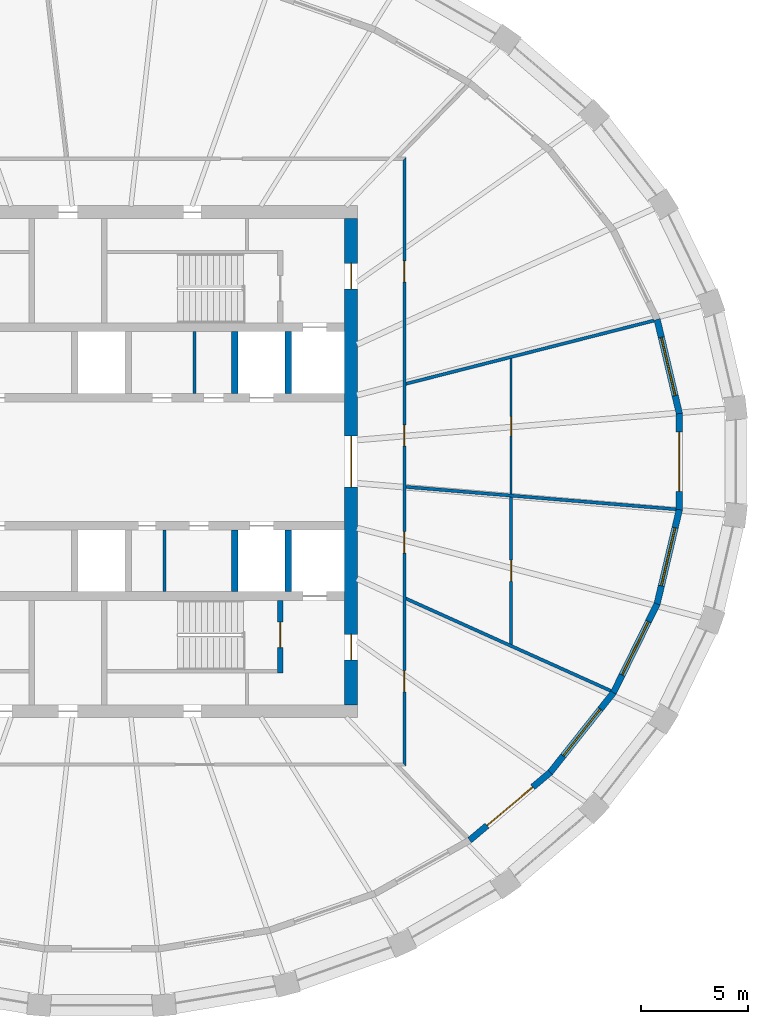
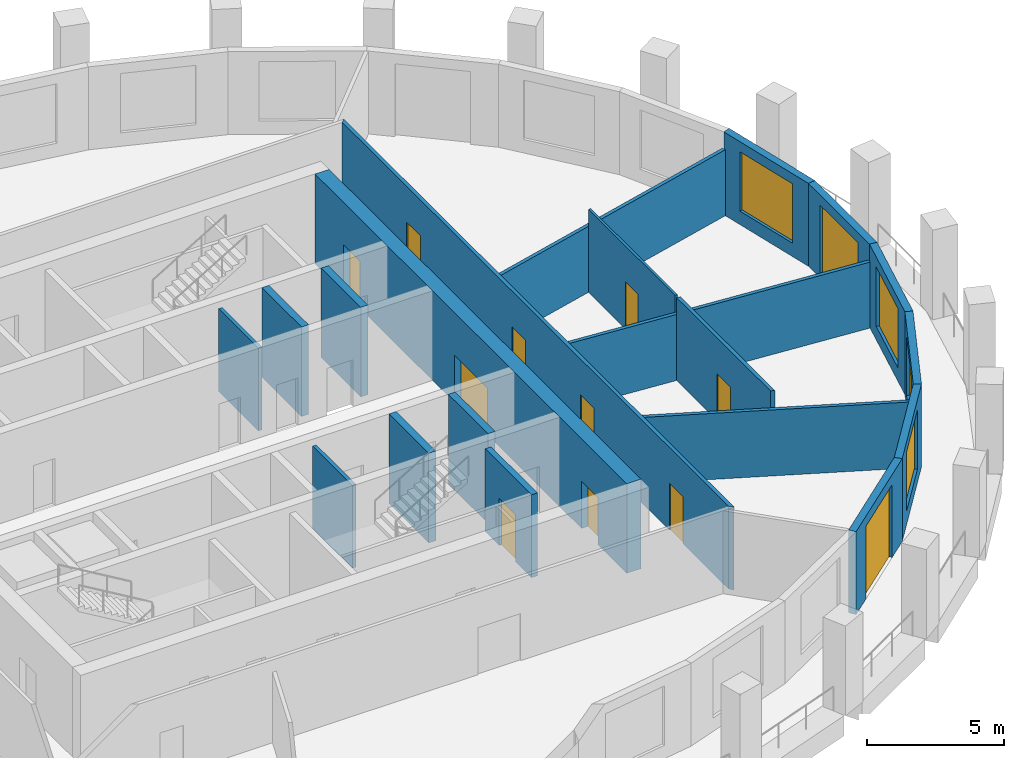
# One storey, part 5 of 10: 20 walls, 12 doors, 4 windows, 16 openings.
"""IFC4 building model written with IfcOpenShell, lengths in metres."""

import ifcopenshell
import ifcopenshell.guid

model = None  # the IFC model being written
_history = None  # IfcOwnerHistory: only IFC2X3 demands one
_inside = {}  # id of a spatial element -> (the spatial element, [elements in it])
_under = {}  # id of a project, library or spatial element -> (it, [spatial elements below it])
_declared = {}  # id of a project -> (the project, [libraries it declares])
_typed = {}  # id of a type object -> (the type object, [elements of that type])
_made_of = {}  # id of a material, layer set ... -> (it, [elements and type objects made of it])


def new_model(schema):
    """Start an empty IFC model of exactly this schema.

    Asked for "IFC4X3", IfcOpenShell would pick the latest addendum, in which some entities
    have other attributes; the version numbers below select the first issue.
    IFC2X3 requires an IfcOwnerHistory on every rooted entity: one is made here for all.
    """
    global model, _history
    if schema == "IFC4X3":
        model = ifcopenshell.file(schema_version=(4, 3, 0, 0))
    else:
        model = ifcopenshell.file(schema=schema)
    _inside.clear()
    _under.clear()
    _declared.clear()
    _typed.clear()
    _made_of.clear()
    _history = None
    if model.schema == "IFC2X3":
        org = make("IfcOrganization", Name="unknown")
        user = make(
            "IfcPersonAndOrganization",
            ThePerson=make("IfcPerson", FamilyName="unknown"),
            TheOrganization=org,
        )
        app = make(
            "IfcApplication",
            ApplicationDeveloper=org,
            Version="unknown",
            ApplicationFullName="unknown",
            ApplicationIdentifier="unknown",
        )
        _history = make(
            "IfcOwnerHistory",
            OwningUser=user,
            OwningApplication=app,
            ChangeAction="ADDED",
            CreationDate=0,
        )
    return model


def make(cls, **values):
    """One entity of the class cls with the attributes given. An attribute that is None is left unset."""
    return model.create_entity(
        cls, **{name: value for name, value in values.items() if value is not None}
    )


def rooted(cls, **values):
    """An entity with a GlobalId (a new one), such as an element, a storey or a relation."""
    return make(cls, GlobalId=ifcopenshell.guid.new(), OwnerHistory=_history, **values)


def si_unit(unit_type, name, prefix=None):
    """IfcSIUnit, for example si_unit("LENGTHUNIT", "METRE", prefix="MILLI")."""
    return make("IfcSIUnit", UnitType=unit_type, Prefix=prefix, Name=name)


def assignment(units):
    """IfcUnitAssignment: the units of a project."""
    return None if units is None else make("IfcUnitAssignment", Units=units)


def point(xyz):
    """IfcCartesianPoint."""
    return None if xyz is None else make("IfcCartesianPoint", Coordinates=xyz)


def direction(xyz):
    """IfcDirection."""
    return None if xyz is None else make("IfcDirection", DirectionRatios=xyz)


def frame(location, z_axis=None, x_axis=None):
    """IfcAxis2Placement3D, a coordinate frame: its origin and axes. An axis left out is left unset."""
    return make(
        "IfcAxis2Placement3D",
        Location=point(location),
        Axis=direction(z_axis),
        RefDirection=direction(x_axis),
    )


def frame_2d(location, x_axis=None):
    """IfcAxis2Placement2D, a coordinate frame in the plane: its origin and x axis."""
    return make(
        "IfcAxis2Placement2D", Location=point(location), RefDirection=direction(x_axis)
    )


def origin():
    """The frame at (0, 0, 0) with its axes left unset."""
    return frame((0.0, 0.0, 0.0))


def place(relative_to, where):
    """IfcLocalPlacement: puts the frame where relative to a parent placement (None: the world)."""
    return make(
        "IfcLocalPlacement", PlacementRelTo=relative_to, RelativePlacement=where
    )


def context(
    kind, dimensions, precision=None, world=None, true_north=None, identifier=None
):
    """IfcGeometricRepresentationContext, for example the 3D "Model" context."""
    return make(
        "IfcGeometricRepresentationContext",
        ContextIdentifier=identifier,
        ContextType=kind,
        CoordinateSpaceDimension=dimensions,
        Precision=precision,
        WorldCoordinateSystem=world,
        TrueNorth=true_north,
    )


def subcontext(parent, identifier, kind, view, scale=None):
    """IfcGeometricRepresentationSubContext, for example "Body" below "Model"."""
    return make(
        "IfcGeometricRepresentationSubContext",
        ContextIdentifier=identifier,
        ContextType=kind,
        ParentContext=parent,
        TargetScale=scale,
        TargetView=view,
    )


def project(units=None, contexts=None):
    """IfcProject with its units and contexts."""
    return rooted(
        "IfcProject",
        Name="project",
        RepresentationContexts=contexts,
        UnitsInContext=assignment(units),
    )


def spatial(cls, under=None, at=None, **own):
    """A site, building, storey or space (cls), placed at a placement, below another one or the project."""
    s = rooted(cls, ObjectPlacement=at, **own)
    if under is not None:
        _under.setdefault(under.id(), (under, []))[1].append(s)
    return s


def polyline(points):
    """IfcPolyline through the points."""
    return make("IfcPolyline", Points=[point(p) for p in points])


def profile(cls, at=None, kind="AREA", **sizes):
    """A parametric profile (cls). Its sizes go by their IFC names, for example OverallWidth=200.0."""
    return make(cls, ProfileType=kind, Position=at, **sizes)


def rectangle(**sizes):
    """IfcRectangleProfileDef."""
    return profile("IfcRectangleProfileDef", **sizes)


def outline(outer, holes=None, kind="AREA"):
    """IfcArbitraryClosedProfileDef: a profile drawn as a closed curve; with holes, ...WithVoids."""
    if holes is None:
        return make("IfcArbitraryClosedProfileDef", ProfileType=kind, OuterCurve=outer)
    return make(
        "IfcArbitraryProfileDefWithVoids",
        ProfileType=kind,
        OuterCurve=outer,
        InnerCurves=holes,
    )


def extrude(swept, where, along, depth):
    """IfcExtrudedAreaSolid: the profile swept, set in the frame where, extruded along a direction by depth."""
    return make(
        "IfcExtrudedAreaSolid",
        SweptArea=swept,
        Position=where,
        ExtrudedDirection=direction(along),
        Depth=depth,
    )


def shape(context_of_items, identifier, shape_type, items):
    """IfcShapeRepresentation: the items that make up one representation, for example the "Body"."""
    return make(
        "IfcShapeRepresentation",
        ContextOfItems=context_of_items,
        RepresentationIdentifier=identifier,
        RepresentationType=shape_type,
        Items=items,
    )


def material(Name=None, Category=None):
    """IfcMaterial."""
    return make("IfcMaterial", Name=Name, Category=Category)


def layer(
    of_material, thickness, ventilated=None, Name=None, Category=None, Priority=None
):
    """IfcMaterialLayer: one layer of a wall or slab, of a material (None: an air gap)."""
    return make(
        "IfcMaterialLayer",
        Material=of_material,
        LayerThickness=thickness,
        IsVentilated=ventilated,
        Name=Name,
        Category=Category,
        Priority=Priority,
    )


def layer_set(layers, Name=None):
    """IfcMaterialLayerSet."""
    return make("IfcMaterialLayerSet", MaterialLayers=layers, LayerSetName=Name)


def made_of(thing, what):
    """Note that an element or type object is made of a material, layer set ...; save() writes the relation."""
    if what is not None:
        _made_of.setdefault(what.id(), (what, []))[1].append(thing)
    return thing


def type_object(cls, material=None, **own):
    """A type object (cls), such as IfcWallType, which elements share."""
    return made_of(rooted(cls, **own), material)


def element(
    cls,
    number,
    at=None,
    inside=None,
    cuts=None,
    type_object=None,
    material=None,
    context=None,
    identifier="Body",
    shape_type=None,
    held_by="IfcProductDefinitionShape",
    body=None,
    shapes=None,
    **own,
):
    """One element of the class cls, such as IfcWall. Its Tag is "e" and its number.

    at: its placement. inside: the storey or other place that contains it. cuts: it is an
    opening in that element (IfcRelVoidsElement). A single representation is given by context,
    identifier, shape_type and body (its items); several are given by shapes. held_by: the class
    of the entity that holds the representations. save() writes the other relations.
    """
    e = rooted(cls, Tag="e%d" % number, ObjectPlacement=at, **own)
    if body is not None:
        shapes = [shape(context, identifier, shape_type, body)]
    if shapes is not None:
        e.Representation = make(held_by, Representations=shapes)
    if inside is not None:
        _inside.setdefault(inside.id(), (inside, []))[1].append(e)
    if cuts is not None:
        rooted(
            "IfcRelVoidsElement", RelatingBuildingElement=cuts, RelatedOpeningElement=e
        )
    if type_object is not None:
        _typed.setdefault(type_object.id(), (type_object, []))[1].append(e)
    return made_of(e, material)


def fill(opening, filler):
    """IfcRelFillsElement: the door or window that sits in an opening."""
    return rooted(
        "IfcRelFillsElement",
        RelatingOpeningElement=opening,
        RelatedBuildingElement=filler,
    )


def aggregate(whole, parts):
    """IfcRelAggregates: a whole, such as a stair, and the parts it consists of."""
    return rooted("IfcRelAggregates", RelatingObject=whole, RelatedObjects=parts)


def save(model, path):
    """Write the relations noted so far, then the file.

    IfcRelAggregates (storeys below a building ...), IfcRelContainedInSpatialStructure (elements
    in a storey), IfcRelDefinesByType, IfcRelAssociatesMaterial and IfcRelDeclares: one each for
    every whole, place, type object, material and project.
    """
    for whole, parts in _under.values():
        aggregate(whole, parts)
    for where, things in _inside.values():
        rooted(
            "IfcRelContainedInSpatialStructure",
            RelatedElements=things,
            RelatingStructure=where,
        )
    for kind, things in _typed.values():
        rooted("IfcRelDefinesByType", RelatedObjects=things, RelatingType=kind)
    for what, things in _made_of.values():
        rooted("IfcRelAssociatesMaterial", RelatedObjects=things, RelatingMaterial=what)
    for by, libraries in _declared.values():
        rooted("IfcRelDeclares", RelatingContext=by, RelatedDefinitions=libraries)
    model.write(path)


model = new_model("IFC4")

# Units and contexts
model_context = context("Model", 3, precision=1e-05, world=origin(), true_north=direction((0.0, 1.0)))
body_context = subcontext(model_context, "Body", "Model", "MODEL_VIEW")
ifc_project = project(units=[si_unit("LENGTHUNIT", "METRE"), si_unit("AREAUNIT", "SQUARE_METRE"), si_unit("VOLUMEUNIT", "CUBIC_METRE"), si_unit("PLANEANGLEUNIT", "RADIAN"), si_unit("MASSUNIT", "GRAM", prefix="KILO")], contexts=[model_context])

# Site, building, storey
site_placement = place(None, origin())
site = spatial("IfcSite", under=ifc_project, at=site_placement, CompositionType="ELEMENT")
building_placement = place(site_placement, origin())
building = spatial("IfcBuilding", under=site, at=building_placement, Name="Halqa Exchange Tower", CompositionType="ELEMENT")
storey_placement = place(building_placement, frame((0.0, 0.0, 272.300048828125)))
storey = spatial("IfcBuildingStorey", under=building, at=storey_placement, Name="L63", CompositionType="ELEMENT", Elevation=272.300048828125)

# Wall, opening, door
ifc_material_1 = material(Name="Gypsum board")
ifc_layer_1 = layer(ifc_material_1, 0.14990234375)
ifc_layer_set_1 = layer_set([ifc_layer_1], Name="Gypsum board")
wall_type_1 = type_object("IfcWallType", Name="Acoustic partition 150", PredefinedType="PARTITIONING", material=ifc_layer_set_1)
wall_1_placement = place(storey_placement, frame((19.199951171875, -1.66357421875, 0.0), z_axis=(0.0, 0.0, 1.0), x_axis=(0.0, -1.0, 0.0)))
wall_1 = element("IfcWall", 1, at=wall_1_placement, inside=storey, type_object=wall_type_1, Name="L63-PWL-021", PredefinedType="PARTITIONING", context=body_context, shape_type="SweptSolid", body=[
    extrude(outline(polyline([(0.0, -0.074951171875), (1.71533203125, -0.074951171875), (3.430908203125, -0.074951171875), (5.146240234375, -0.074951171875), (6.861572265625, -0.074951171875), (6.928955078125, 0.074462890625), (6.928955078125, 0.074951171875), (5.19970703125, 0.074951171875), (3.470458984375, 0.074951171875), (1.7412109375, 0.074951171875), (0.011962890625, 0.074951171875), (0.0, -0.069580078125), (0.0, -0.074951171875)])), origin(), (0.0, 0.0, 1.0), 3.699951171875),
])
opening_1_placement = place(wall_1_placement, frame((2.951416015625, 0.0, 0.0)))
opening_1 = element("IfcOpeningElement", 2, at=opening_1_placement, cuts=wall_1, Name="Opening 19-15", PredefinedType="OPENING", context=body_context, shape_type="SweptSolid", body=[
    extrude(rectangle(XDim=1.0, YDim=2.10009765625, at=frame_2d((0.5, 1.050048828125))), frame((0.0, 0.0869140625, 0.0), z_axis=(0.0, -1.0, 0.0), x_axis=(1.0, 0.0, 0.0)), (0.0, 0.0, 1.0), 0.173828125),
])
ifc_material_2 = material(Name="Timber door leaf", Category="wood")
door_type_1 = type_object("IfcDoorType", Name="Acoustic door 1000 x 2100", OperationType="SINGLE_SWING_LEFT", PredefinedType="DOOR", material=ifc_material_2)
door_1_placement = place(opening_1_placement, frame((1.0, 0.0, 0.0), z_axis=(0.0, 0.0, 1.0), x_axis=(-1.0, 0.0, 0.0)))
door_1 = element("IfcDoor", 3, at=door_1_placement, inside=storey, type_object=door_type_1, Name="L63-IDR-015", OperationType="SINGLE_SWING_LEFT", OverallHeight=2.10009765625, OverallWidth=1.0, PredefinedType="DOOR", context=body_context, shape_type="SweptSolid", body=[
    extrude(rectangle(XDim=1.0, YDim=2.10009765625, at=frame_2d((0.5, 1.050048828125))), frame((0.0, 0.02490234375, 0.0), z_axis=(0.0, -1.0, 0.0), x_axis=(1.0, 0.0, 0.0)), (0.0, 0.0, 1.0), 0.050048828125),
])
fill(opening_1, door_1)

# Wall, openings, doors
ifc_material_3 = material(Name="Fire-rated gypsum board")
ifc_layer_2 = layer(ifc_material_3, 0.14990234375)
ifc_layer_set_2 = layer_set([ifc_layer_2], Name="Fire-rated gypsum board")
wall_type_2 = type_object("IfcWallType", Name="Fire partition EI 60 150", PredefinedType="PARTITIONING", material=ifc_layer_set_2)
wall_2_placement = place(storey_placement, frame((14.199951171875, -14.27490234375, 0.0), z_axis=(0.0, 0.0, 1.0), x_axis=(0.0, 1.0, 0.0)))
wall_2 = element("IfcWall", 4, at=wall_2_placement, inside=storey, type_object=wall_type_2, Name="L63-PWL-017", PredefinedType="PARTITIONING", context=body_context, shape_type="SweptSolid", body=[
    extrude(outline(polyline([(28.5498046875, -0.074951171875), (28.5498046875, -0.074951171875), (28.39990234375, 0.074951171875), (26.5166015625, 0.074951171875), (24.63330078125, 0.074951171875), (22.75, 0.074951171875), (20.866455078125, 0.074951171875), (18.983154296875, 0.074951171875), (17.099853515625, 0.074951171875), (15.216552734375, 0.074951171875), (13.333251953125, 0.074951171875), (11.449951171875, 0.074951171875), (9.566650390625, 0.074951171875), (7.683349609375, 0.074951171875), (5.7998046875, 0.074951171875), (3.91650390625, 0.074951171875), (2.033203125, 0.074951171875), (0.14990234375, 0.074951171875), (0.0, -0.074951171875), (1.9033203125, -0.074951171875), (3.806640625, -0.074951171875), (5.7099609375, -0.074951171875), (7.61328125, -0.074951171875), (9.5166015625, -0.074951171875), (11.419921875, -0.074951171875), (13.3232421875, -0.074951171875), (15.2265625, -0.074951171875), (17.1298828125, -0.074951171875), (19.033203125, -0.074951171875), (20.9365234375, -0.074951171875), (22.83984375, -0.074951171875), (24.7431640625, -0.074951171875), (26.646484375, -0.074951171875), (28.5498046875, -0.074951171875)])), origin(), (0.0, 0.0, 1.0), 3.699951171875),
])
opening_2_placement = place(wall_2_placement, frame((3.47998046875, 0.0, 0.0)))
opening_2 = element("IfcOpeningElement", 5, at=opening_2_placement, cuts=wall_2, Name="Opening 19-08", PredefinedType="OPENING", context=body_context, shape_type="SweptSolid", body=[
    extrude(rectangle(XDim=1.0, YDim=2.10009765625, at=frame_2d((0.5, 1.050048828125))), frame((0.0, 0.0869140625, 0.0), z_axis=(0.0, -1.0, 0.0), x_axis=(1.0, 0.0, 0.0)), (0.0, 0.0, 1.0), 0.173828125),
])
opening_3_placement = place(wall_2_placement, frame((9.989990234375, 0.0, 0.0)))
opening_3 = element("IfcOpeningElement", 6, at=opening_3_placement, cuts=wall_2, Name="Opening 19-09", PredefinedType="OPENING", context=body_context, shape_type="SweptSolid", body=[
    extrude(rectangle(XDim=1.0, YDim=2.10009765625, at=frame_2d((0.5, 1.050048828125))), frame((0.0, 0.0869140625, 0.0), z_axis=(0.0, -1.0, 0.0), x_axis=(1.0, 0.0, 0.0)), (0.0, 0.0, 1.0), 0.173828125),
])
opening_4_placement = place(wall_2_placement, frame((15.0, 0.0, 0.0)))
opening_4 = element("IfcOpeningElement", 7, at=opening_4_placement, cuts=wall_2, Name="Opening 19-10", PredefinedType="OPENING", context=body_context, shape_type="SweptSolid", body=[
    extrude(rectangle(XDim=1.0, YDim=2.10009765625, at=frame_2d((0.5, 1.050048828125))), frame((0.0, 0.0869140625, 0.0), z_axis=(0.0, -1.0, 0.0), x_axis=(1.0, 0.0, 0.0)), (0.0, 0.0, 1.0), 0.173828125),
])
opening_5_placement = place(wall_2_placement, frame((22.68994140625, 0.0, 0.0)))
opening_5 = element("IfcOpeningElement", 8, at=opening_5_placement, cuts=wall_2, Name="Opening 19-11", PredefinedType="OPENING", context=body_context, shape_type="SweptSolid", body=[
    extrude(rectangle(XDim=1.0, YDim=2.10009765625, at=frame_2d((0.5, 1.050048828125))), frame((0.0, 0.0869140625, 0.0), z_axis=(0.0, -1.0, 0.0), x_axis=(1.0, 0.0, 0.0)), (0.0, 0.0, 1.0), 0.173828125),
])
ifc_material_4 = material(Name="Steel fire door leaf", Category="steel")
door_type_2 = type_object("IfcDoorType", Name="Fire door FD30S 1000 x 2100", OperationType="SINGLE_SWING_LEFT", PredefinedType="DOOR", material=ifc_material_4)
door_2_placement = place(opening_2_placement, frame((1.0, 0.0, 0.0), z_axis=(0.0, 0.0, 1.0), x_axis=(-1.0, 0.0, 0.0)))
door_2 = element("IfcDoor", 9, at=door_2_placement, inside=storey, type_object=door_type_2, Name="L63-IDR-008", OperationType="SINGLE_SWING_RIGHT", OverallHeight=2.10009765625, OverallWidth=1.0, PredefinedType="DOOR", context=body_context, shape_type="SweptSolid", body=[
    extrude(rectangle(XDim=1.0, YDim=2.10009765625, at=frame_2d((0.5, 1.050048828125))), frame((0.0, 0.02490234375, 0.0), z_axis=(0.0, -1.0, 0.0), x_axis=(1.0, 0.0, 0.0)), (0.0, 0.0, 1.0), 0.050048828125),
])
fill(opening_2, door_2)
door_3_placement = place(opening_3_placement, frame((1.0, 0.0, 0.0), z_axis=(0.0, 0.0, 1.0), x_axis=(-1.0, 0.0, 0.0)))
door_3 = element("IfcDoor", 10, at=door_3_placement, inside=storey, type_object=door_type_2, Name="L63-IDR-009", OperationType="SINGLE_SWING_LEFT", OverallHeight=2.10009765625, OverallWidth=1.0, PredefinedType="DOOR", context=body_context, shape_type="SweptSolid", body=[
    extrude(rectangle(XDim=1.0, YDim=2.10009765625, at=frame_2d((0.5, 1.050048828125))), frame((0.0, 0.02490234375, 0.0), z_axis=(0.0, -1.0, 0.0), x_axis=(1.0, 0.0, 0.0)), (0.0, 0.0, 1.0), 0.050048828125),
])
fill(opening_3, door_3)
door_4_placement = place(opening_4_placement, frame((1.0, 0.0, 0.0), z_axis=(0.0, 0.0, 1.0), x_axis=(-1.0, 0.0, 0.0)))
door_4 = element("IfcDoor", 11, at=door_4_placement, inside=storey, type_object=door_type_2, Name="L63-IDR-010", OperationType="SINGLE_SWING_RIGHT", OverallHeight=2.10009765625, OverallWidth=1.0, PredefinedType="DOOR", context=body_context, shape_type="SweptSolid", body=[
    extrude(rectangle(XDim=1.0, YDim=2.10009765625, at=frame_2d((0.5, 1.050048828125))), frame((0.0, 0.02490234375, 0.0), z_axis=(0.0, -1.0, 0.0), x_axis=(1.0, 0.0, 0.0)), (0.0, 0.0, 1.0), 0.050048828125),
])
fill(opening_4, door_4)
door_5_placement = place(opening_5_placement, frame((1.0, 0.0, 0.0), z_axis=(0.0, 0.0, 1.0), x_axis=(-1.0, 0.0, 0.0)))
door_5 = element("IfcDoor", 12, at=door_5_placement, inside=storey, type_object=door_type_2, Name="L63-IDR-011", OperationType="SINGLE_SWING_RIGHT", OverallHeight=2.10009765625, OverallWidth=1.0, PredefinedType="DOOR", context=body_context, shape_type="SweptSolid", body=[
    extrude(rectangle(XDim=1.0, YDim=2.10009765625, at=frame_2d((0.5, 1.050048828125))), frame((0.0, 0.02490234375, 0.0), z_axis=(0.0, -1.0, 0.0), x_axis=(1.0, 0.0, 0.0)), (0.0, 0.0, 1.0), 0.050048828125),
])
fill(opening_5, door_5)

# Walls
wall_3_placement = place(storey_placement, frame((14.24462890625, -6.41015625, 0.0), z_axis=(0.0, 0.0, 1.0), x_axis=(0.91183931518, -0.410547272908, 0.0)))
element("IfcWall", 13, at=wall_3_placement, inside=storey, type_object=wall_type_2, Name="L63-PWL-018", PredefinedType="PARTITIONING", context=body_context, shape_type="SweptSolid", body=[
    extrude(outline(polyline([(0.067138671875, -0.074951171875), (1.812744140625, -0.074951171875), (3.55859375, -0.074951171875), (5.304443359375, -0.074951171875), (7.05029296875, -0.074951171875), (8.796142578125, -0.074951171875), (10.541748046875, -0.074951171875), (10.559814453125, -0.00341796875), (10.5625, 0.072998046875), (10.5625, 0.074951171875), (8.816162109375, 0.074951171875), (7.070068359375, 0.074951171875), (5.32373046875, 0.074951171875), (5.3193359375, 0.072998046875), (5.318359375, 0.074951171875), (3.545654296875, 0.074951171875), (1.772705078125, 0.074951171875), (0.0, 0.074951171875), (0.0, 0.073974609375), (0.067138671875, -0.074951171875)])), origin(), (0.0, 0.0, 1.0), 2.947021484375),
])
wall_4_placement = place(storey_placement, frame((14.269287109375, -1.185791015625, 0.0), z_axis=(0.0, 0.0, 1.0), x_axis=(0.996588692452, -0.082528650035, 0.0)))
element("IfcWall", 14, at=wall_4_placement, inside=storey, type_object=wall_type_2, Name="L63-PWL-019", PredefinedType="PARTITIONING", context=body_context, shape_type="SweptSolid", body=[
    extrude(outline(polyline([(0.011962890625, -0.074951171875), (1.68212890625, -0.074951171875), (3.3525390625, -0.074951171875), (5.022705078125, -0.074951171875), (5.029052734375, -0.074462890625), (5.029052734375, -0.074951171875), (6.947021484375, -0.074951171875), (8.864990234375, -0.074951171875), (10.782958984375, -0.074951171875), (12.700927734375, -0.074951171875), (12.705810546875, -0.04248046875), (12.705810546875, 0.074951171875), (10.7529296875, 0.074951171875), (8.800048828125, 0.074951171875), (6.846923828125, 0.074951171875), (4.89404296875, 0.074951171875), (4.89111328125, 0.07470703125), (4.89111328125, 0.074951171875), (3.2607421875, 0.074951171875), (1.63037109375, 0.074951171875), (0.0, 0.074951171875), (0.0, 0.0693359375), (0.011962890625, -0.074951171875)])), origin(), (0.0, 0.0, 1.0), 2.947021484375),
])
wall_5_placement = place(storey_placement, frame((14.256591796875, 3.64453125, 0.0), z_axis=(0.0, 0.0, 1.0), x_axis=(0.968990601513, 0.247097580277, 0.0)))
element("IfcWall", 15, at=wall_5_placement, inside=storey, type_object=wall_type_2, Name="L63-PWL-020", PredefinedType="PARTITIONING", context=body_context, shape_type="SweptSolid", body=[
    extrude(outline(polyline([(12.0185546875, -0.074951171875), (12.0185546875, 0.011474609375), (12.005126953125, 0.074951171875), (10.0107421875, 0.074951171875), (8.01611328125, 0.074951171875), (6.021728515625, 0.074951171875), (4.027099609375, 0.074951171875), (2.03271484375, 0.074951171875), (0.0380859375, 0.074951171875), (0.0, -0.074462890625), (0.0, -0.074951171875), (1.717041015625, -0.074951171875), (3.433837890625, -0.074951171875), (5.15087890625, -0.074951171875), (6.86767578125, -0.074951171875), (8.584716796875, -0.074951171875), (10.301513671875, -0.074951171875), (12.0185546875, -0.074951171875)])), origin(), (0.0, 0.0, 1.0), 2.947021484375),
])

# Wall, opening, door
ifc_layer_3 = layer(ifc_material_1, 0.10009765625)
ifc_layer_set_3 = layer_set([ifc_layer_3], Name="Gypsum board")
wall_type_3 = type_object("IfcWallType", Name="Partition 100 gypsum", PredefinedType="PARTITIONING", material=ifc_layer_set_3)
wall_6_placement = place(storey_placement, frame((19.199951171875, 4.840087890625, 0.0), z_axis=(0.0, 0.0, 1.0), x_axis=(0.0, -1.0, 0.0)))
wall_6 = element("IfcWall", 16, at=wall_6_placement, inside=storey, type_object=wall_type_3, Name="L63-PWL-022", PredefinedType="PARTITIONING", context=body_context, shape_type="SweptSolid", body=[
    extrude(outline(polyline([(0.025146484375, -0.050048828125), (1.607421875, -0.050048828125), (3.18994140625, -0.050048828125), (4.772216796875, -0.050048828125), (6.354736328125, -0.050048828125), (6.362548828125, 0.044921875), (6.362548828125, 0.050048828125), (4.77197265625, 0.050048828125), (3.18115234375, 0.050048828125), (1.590576171875, 0.050048828125), (0.0, 0.050048828125), (0.0, 0.048583984375), (0.025146484375, -0.050048828125)])), origin(), (0.0, 0.0, 1.0), 3.699951171875),
])
opening_6_placement = place(wall_6_placement, frame((2.72998046875, 0.0, 0.0)))
opening_6 = element("IfcOpeningElement", 17, at=opening_6_placement, cuts=wall_6, Name="Opening 19-16", PredefinedType="OPENING", context=body_context, shape_type="SweptSolid", body=[
    extrude(rectangle(XDim=0.89990234375, YDim=2.10009765625, at=frame_2d((0.449951171875, 1.050048828125))), frame((0.0, 0.06201171875, 0.0), z_axis=(0.0, -1.0, 0.0), x_axis=(1.0, 0.0, 0.0)), (0.0, 0.0, 1.0), 0.1240234375),
])
door_type_3 = type_object("IfcDoorType", Name="Door 900 x 2100", OperationType="SINGLE_SWING_LEFT", PredefinedType="DOOR", material=ifc_material_2)
door_6_placement = place(opening_6_placement, frame((0.89990234375, 0.0, 0.0), z_axis=(0.0, 0.0, 1.0), x_axis=(-1.0, 0.0, 0.0)))
door_6 = element("IfcDoor", 18, at=door_6_placement, inside=storey, type_object=door_type_3, Name="L63-IDR-016", OperationType="SINGLE_SWING_LEFT", OverallHeight=2.10009765625, OverallWidth=0.89990234375, PredefinedType="DOOR", context=body_context, shape_type="SweptSolid", body=[
    extrude(rectangle(XDim=0.89990234375, YDim=2.10009765625, at=frame_2d((0.449951171875, 1.050048828125))), frame((0.0, 0.02490234375, 0.0), z_axis=(0.0, -1.0, 0.0), x_axis=(1.0, 0.0, 0.0)), (0.0, 0.0, 1.0), 0.050048828125),
])
fill(opening_6, door_6)

# Walls
ifc_layer_4 = layer(ifc_material_1, 0.14990234375)
ifc_layer_set_4 = layer_set([ifc_layer_4], Name="Gypsum board")
wall_type_4 = type_object("IfcWallType", Name="Penthouse riser wall 150 gypsum", PredefinedType="PARTITIONING", material=ifc_layer_set_4)
for number, where, z_axis, x_axis, name in (
    (19, (4.35009765625, 3.199951171875, 0.0), (0.0, 0.0, 1.0), (0.0, 1.0, 0.0), "Freed bay partition NE4.350"),
    (20, (2.949951171875, -6.10009765625, 0.0), (0.0, 0.0, 1.0), (0.0, 1.0, 0.0), "Freed bay partition SE2.950"),
):
    element("IfcWall", number, at=place(storey_placement, frame(where, z_axis=z_axis, x_axis=x_axis)), inside=storey, type_object=wall_type_4, Name=name, PredefinedType="PARTITIONING", context=body_context, shape_type="SweptSolid", body=[
        extrude(rectangle(XDim=2.900146484375, YDim=0.14990234375, at=frame_2d((1.4501953125, 0.0))), origin(), (0.0, 0.0, 1.0), 3.699951171875),
    ])
ifc_material_5 = material(Name="Concrete C60/75", Category="concrete")
ifc_layer_5 = layer(ifc_material_5, 0.300048828125)
ifc_layer_set_5 = layer_set([ifc_layer_5], Name="Concrete C60/75")
wall_type_5 = type_object("IfcWallType", Name="RC core wall 300", PredefinedType="SHEAR", material=ifc_layer_set_5)
for number, where, z_axis, x_axis, name in (
    (21, (6.25, 3.199951171875, 0.0), (0.0, 0.0, 1.0), (0.0, 1.0, 0.0), "Shaft divider N7"),
    (22, (8.75, 3.199951171875, 0.0), (0.0, 0.0, 1.0), (0.0, 1.0, 0.0), "Shaft divider N8"),
    (23, (6.25, -6.10009765625, 0.0), (0.0, 0.0, 1.0), (0.0, 1.0, 0.0), "Shaft divider S7"),
    (24, (8.75, -6.10009765625, 0.0), (0.0, 0.0, 1.0), (0.0, 1.0, 0.0), "Shaft divider S8"),
):
    element("IfcWall", number, at=place(storey_placement, frame(where, z_axis=z_axis, x_axis=x_axis)), inside=storey, type_object=wall_type_5, Name=name, PredefinedType="SHEAR", context=body_context, shape_type="SweptSolid", body=[
        extrude(rectangle(XDim=2.900146484375, YDim=0.300048828125, at=frame_2d((1.4501953125, 0.0))), origin(), (0.0, 0.0, 1.0), 4.0),
    ])

# Wall, openings, doors
ifc_layer_6 = layer(ifc_material_5, 0.60009765625)
ifc_layer_set_6 = layer_set([ifc_layer_6], Name="Concrete C60/75")
wall_type_6 = type_object("IfcWallType", Name="RC core wall 600 C60/75", PredefinedType="SHEAR", material=ifc_layer_set_6)
wall_7_placement = place(storey_placement, frame((11.699951171875, -11.39990234375, 0.0), z_axis=(0.0, 0.0, 1.0), x_axis=(0.0, 1.0, 0.0)))
wall_7 = element("IfcWall", 25, at=wall_7_placement, inside=storey, type_object=wall_type_6, Name="Core wall east", PredefinedType="SHEAR", context=body_context, shape_type="SweptSolid", body=[
    extrude(rectangle(XDim=22.7998046875, YDim=0.60009765625, at=frame_2d((11.39990234375, 0.0))), origin(), (0.0, 0.0, 1.0), 4.0),
])
opening_7_placement = place(wall_7_placement, frame((10.199951171875, 0.0, 0.0)))
opening_7 = element("IfcOpeningElement", 26, at=opening_7_placement, cuts=wall_7, Name="Opening T19-C10", PredefinedType="OPENING", context=body_context, shape_type="SweptSolid", body=[
    extrude(rectangle(XDim=2.39990234375, YDim=2.10009765625, at=frame_2d((1.199951171875, 1.050048828125))), frame((0.0, 0.31201171875, 0.0), z_axis=(0.0, -1.0, 0.0), x_axis=(1.0, 0.0, 0.0)), (0.0, 0.0, 1.0), 0.6240234375),
])
opening_8_placement = place(wall_7_placement, frame((19.5, 0.0, 0.0)))
opening_8 = element("IfcOpeningElement", 27, at=opening_8_placement, cuts=wall_7, Name="Opening T19-C15", PredefinedType="OPENING", context=body_context, shape_type="SweptSolid", body=[
    extrude(rectangle(XDim=1.199951171875, YDim=2.10009765625, at=frame_2d((0.60009765625, 1.050048828125))), frame((0.0, 0.31201171875, 0.0), z_axis=(0.0, -1.0, 0.0), x_axis=(1.0, 0.0, 0.0)), (0.0, 0.0, 1.0), 0.6240234375),
])
opening_9_placement = place(wall_7_placement, frame((2.10009765625, 0.0, 0.0)))
opening_9 = element("IfcOpeningElement", 28, at=opening_9_placement, cuts=wall_7, Name="Opening T19-C16", PredefinedType="OPENING", context=body_context, shape_type="SweptSolid", body=[
    extrude(rectangle(XDim=1.199951171875, YDim=2.10009765625, at=frame_2d((0.60009765625, 1.050048828125))), frame((0.0, 0.31201171875, 0.0), z_axis=(0.0, -1.0, 0.0), x_axis=(1.0, 0.0, 0.0)), (0.0, 0.0, 1.0), 0.6240234375),
])
door_type_4 = type_object("IfcDoorType", Name="Firefighting lobby door FD90 1200 x 2100", OperationType="SINGLE_SWING_RIGHT", PredefinedType="DOOR", material=ifc_material_4)
door_7_placement = place(opening_8_placement, origin())
door_7 = element("IfcDoor", 29, at=door_7_placement, inside=storey, type_object=door_type_4, Name="Firefighting lobby door", OperationType="SINGLE_SWING_RIGHT", OverallHeight=2.10009765625, OverallWidth=1.199951171875, PredefinedType="DOOR", context=body_context, shape_type="SweptSolid", body=[
    extrude(rectangle(XDim=1.199951171875, YDim=2.10009765625, at=frame_2d((0.60009765625, 1.050048828125))), frame((0.0, 0.02490234375, 0.0), z_axis=(0.0, -1.0, 0.0), x_axis=(1.0, 0.0, 0.0)), (0.0, 0.0, 1.0), 0.050048828125),
])
fill(opening_8, door_7)
door_8_placement = place(opening_9_placement, origin())
door_8 = element("IfcDoor", 30, at=door_8_placement, inside=storey, type_object=door_type_4, Name="Firefighting lobby door", OperationType="SINGLE_SWING_LEFT", OverallHeight=2.10009765625, OverallWidth=1.199951171875, PredefinedType="DOOR", context=body_context, shape_type="SweptSolid", body=[
    extrude(rectangle(XDim=1.199951171875, YDim=2.10009765625, at=frame_2d((0.60009765625, 1.050048828125))), frame((0.0, 0.02490234375, 0.0), z_axis=(0.0, -1.0, 0.0), x_axis=(1.0, 0.0, 0.0)), (0.0, 0.0, 1.0), 0.050048828125),
])
fill(opening_9, door_8)
door_type_5 = type_object("IfcDoorType", Name="Lobby double door FD60 2400 x 2100", OperationType="DOUBLE_DOOR_SINGLE_SWING", PredefinedType="DOOR", material=ifc_material_4)
door_9_placement = place(opening_7_placement, origin())
door_9 = element("IfcDoor", 31, at=door_9_placement, inside=storey, type_object=door_type_5, Name="Lift lobby double door", OperationType="DOUBLE_DOOR_SINGLE_SWING", OverallHeight=2.10009765625, OverallWidth=2.39990234375, PredefinedType="DOOR", context=body_context, shape_type="SweptSolid", body=[
    extrude(rectangle(XDim=2.39990234375, YDim=2.10009765625, at=frame_2d((1.199951171875, 1.050048828125))), frame((0.0, 0.02490234375, 0.0), z_axis=(0.0, -1.0, 0.0), x_axis=(1.0, 0.0, 0.0)), (0.0, 0.0, 1.0), 0.050048828125),
])
fill(opening_7, door_9)

# Wall, opening, door
ifc_material_6 = material(Name="Concrete C30/37", Category="concrete")
ifc_layer_7 = layer(ifc_material_6, 0.25)
ifc_layer_set_7 = layer_set([ifc_layer_7], Name="Concrete C30/37")
wall_type_7 = type_object("IfcWallType", Name="RC stair wall 250 C30/37", PredefinedType="SHEAR", material=ifc_layer_set_7)
wall_8_placement = place(storey_placement, frame((8.375, -9.89990234375, 0.0), z_axis=(0.0, 0.0, 1.0), x_axis=(0.0, 1.0, 0.0)))
wall_8 = element("IfcWall", 32, at=wall_8_placement, inside=storey, type_object=wall_type_7, Name="Stair ST2 east wall S", PredefinedType="SHEAR", context=body_context, shape_type="SweptSolid", body=[
    extrude(rectangle(XDim=3.39990234375, YDim=0.25, at=frame_2d((1.699951171875, 0.0))), origin(), (0.0, 0.0, 1.0), 3.699951171875),
])
opening_10_placement = place(wall_8_placement, frame((1.175048828125, 0.0, 0.0)))
opening_10 = element("IfcOpeningElement", 33, at=opening_10_placement, cuts=wall_8, Name="Opening T19-C14", PredefinedType="OPENING", context=body_context, shape_type="SweptSolid", body=[
    extrude(rectangle(XDim=1.199951171875, YDim=2.10009765625, at=frame_2d((0.60009765625, 1.050048828125))), frame((0.0, 0.136962890625, 0.0), z_axis=(0.0, -1.0, 0.0), x_axis=(1.0, 0.0, 0.0)), (0.0, 0.0, 1.0), 0.27392578125),
])
door_type_6 = type_object("IfcDoorType", Name="Stair door FD90 1200 x 2100", OperationType="SINGLE_SWING_LEFT", PredefinedType="DOOR", material=ifc_material_4)
door_10_placement = place(opening_10_placement, origin())
door_10 = element("IfcDoor", 34, at=door_10_placement, inside=storey, type_object=door_type_6, Name="Stair door ST4", OperationType="SINGLE_SWING_RIGHT", OverallHeight=2.10009765625, OverallWidth=1.199951171875, PredefinedType="DOOR", context=body_context, shape_type="SweptSolid", body=[
    extrude(rectangle(XDim=1.199951171875, YDim=2.10009765625, at=frame_2d((0.60009765625, 1.050048828125))), frame((0.0, 0.02490234375, 0.0), z_axis=(0.0, -1.0, 0.0), x_axis=(1.0, 0.0, 0.0)), (0.0, 0.0, 1.0), 0.050048828125),
])
fill(opening_10, door_10)

# Wall, opening, window
ifc_material_7 = material(Name="Limestone cladding", Category="masonry")
ifc_layer_8 = layer(ifc_material_7, 0.0400390625)
ifc_material_8 = material(Name="Ventilated cavity")
ifc_layer_9 = layer(ifc_material_8, 0.030029296875, ventilated=True)
ifc_material_9 = material(Name="Mineral wool insulation")
ifc_layer_10 = layer(ifc_material_9, 0.10009765625)
ifc_layer_11 = layer(ifc_material_6, 0.10009765625)
ifc_material_10 = material(Name="Internal plaster")
ifc_layer_12 = layer(ifc_material_10, 0.030029296875)
ifc_layer_set_8 = layer_set([ifc_layer_8, ifc_layer_9, ifc_layer_10, ifc_layer_11, ifc_layer_12], Name="Stone-faced insulated wall 300")
wall_type_8 = type_object("IfcWallType", Name="Stone-faced insulated wall 300", PredefinedType="STANDARD", material=ifc_layer_set_8)
wall_9_placement = place(storey_placement, frame((27.088134765625, 2.25244140625, 0.0), z_axis=(0.0, 0.0, 1.0), x_axis=(-0.22983372436, 0.973229910734, 0.0)))
wall_9 = element("IfcWall", 35, at=wall_9_placement, inside=storey, type_object=wall_type_8, Name="Glass-line wall 1", PredefinedType="STANDARD", context=body_context, shape_type="SweptSolid", body=[
    extrude(outline(polyline([(-0.017578125, -0.14990234375), (4.555908203125, -0.14990234375), (4.522216796875, 0.14990234375), (0.017578125, 0.14990234375), (-0.017578125, -0.14990234375)])), origin(), (0.0, 0.0, 1.0), 3.699951171875),
])
opening_11_placement = place(wall_9_placement, frame((0.869384765625, 0.0, 0.60009765625)))
opening_11 = element("IfcOpeningElement", 36, at=opening_11_placement, cuts=wall_9, Name="Opening W-F4-01", PredefinedType="OPENING", context=body_context, shape_type="SweptSolid", body=[
    extrude(rectangle(XDim=2.800048828125, YDim=2.64990234375, at=frame_2d((1.39990234375, 1.324951171875))), frame((0.0, 0.162109375, 0.0), z_axis=(0.0, -1.0, 0.0), x_axis=(1.0, 0.0, 0.0)), (0.0, 0.0, 1.0), 0.323974609375),
])
ifc_material_11 = material(Name="Clear low-emissivity glass in aluminium frame", Category="aluminium")
window_type = type_object("IfcWindowType", Name="Fixed clear glazed window 2800 x 2650", PartitioningType="DOUBLE_PANEL_VERTICAL", PredefinedType="WINDOW", material=ifc_material_11)
window_1_placement = place(opening_11_placement, origin())
window_1 = element("IfcWindow", 37, at=window_1_placement, inside=storey, type_object=window_type, Name="Window 4", OverallHeight=2.64990234375, OverallWidth=2.800048828125, PartitioningType="DOUBLE_PANEL_VERTICAL", PredefinedType="WINDOW", context=body_context, shape_type="SweptSolid", body=[
    extrude(rectangle(XDim=2.800048828125, YDim=2.64990234375, at=frame_2d((1.39990234375, 1.324951171875))), frame((0.0, 0.030029296875, 0.0), z_axis=(0.0, -1.0, 0.0), x_axis=(1.0, 0.0, 0.0)), (0.0, 0.0, 1.0), 0.06005859375),
])
fill(opening_11, window_1)

# Wall, opening, door
wall_10_placement = place(storey_placement, frame((17.2578125, -17.74951171875, 0.0), z_axis=(0.0, 0.0, 1.0), x_axis=(0.764832940795, 0.644228664897, 0.0)))
wall_10 = element("IfcWall", 38, at=wall_10_placement, inside=storey, type_object=wall_type_8, Name="Glass-line wall 28", PredefinedType="STANDARD", context=body_context, shape_type="SweptSolid", body=[
    extrude(outline(polyline([(-0.01416015625, -0.14990234375), (4.950439453125, -0.14990234375), (4.920166015625, 0.14990234375), (0.01416015625, 0.14990234375), (-0.01416015625, -0.14990234375)])), origin(), (0.0, 0.0, 1.0), 3.699951171875),
])
opening_12_placement = place(wall_10_placement, frame((1.067626953125, 0.0, 0.0)))
opening_12 = element("IfcOpeningElement", 39, at=opening_12_placement, cuts=wall_10, Name="Opening LG-F4-07", PredefinedType="OPENING", context=body_context, shape_type="SweptSolid", body=[
    extrude(rectangle(XDim=2.800048828125, YDim=3.25, at=frame_2d((1.39990234375, 1.625))), frame((0.0, 0.162109375, 0.0), z_axis=(0.0, -1.0, 0.0), x_axis=(1.0, 0.0, 0.0)), (0.0, 0.0, 1.0), 0.323974609375),
])
door_type_7 = type_object("IfcDoorType", Name="Glazed sliding loggia door 2800 x 3250", OperationType="DOUBLE_DOOR_SLIDING", PredefinedType="DOOR", material=ifc_material_11)
door_11_placement = place(opening_12_placement, origin())
door_11 = element("IfcDoor", 40, at=door_11_placement, inside=storey, type_object=door_type_7, Name="Loggia door 7", OperationType="DOUBLE_DOOR_SLIDING", OverallHeight=3.25, OverallWidth=2.800048828125, PredefinedType="DOOR", context=body_context, shape_type="SweptSolid", body=[
    extrude(rectangle(XDim=2.800048828125, YDim=3.25, at=frame_2d((1.39990234375, 1.625))), frame((0.0, 0.02490234375, 0.0), z_axis=(0.0, -1.0, 0.0), x_axis=(1.0, 0.0, 0.0)), (0.0, 0.0, 1.0), 0.050048828125),
])
fill(opening_12, door_11)

# Wall, opening, window
wall_11_placement = place(storey_placement, frame((21.032470703125, -14.570068359375, 0.0), z_axis=(0.0, 0.0, 1.0), x_axis=(0.621434755851, 0.783465917715, 0.0)))
wall_11 = element("IfcWall", 41, at=wall_11_placement, inside=storey, type_object=wall_type_8, Name="Glass-line wall 29", PredefinedType="STANDARD", context=body_context, shape_type="SweptSolid", body=[
    extrude(outline(polyline([(-0.01513671875, -0.14990234375), (4.791015625, -0.14990234375), (4.7587890625, 0.14990234375), (0.01513671875, 0.14990234375), (-0.01513671875, -0.14990234375)])), origin(), (0.0, 0.0, 1.0), 3.699951171875),
])
opening_13_placement = place(wall_11_placement, frame((0.9873046875, 0.0, 0.60009765625)))
opening_13 = element("IfcOpeningElement", 42, at=opening_13_placement, cuts=wall_11, Name="Opening W-F4-29", PredefinedType="OPENING", context=body_context, shape_type="SweptSolid", body=[
    extrude(rectangle(XDim=2.800048828125, YDim=2.64990234375, at=frame_2d((1.39990234375, 1.324951171875))), frame((0.0, 0.162109375, 0.0), z_axis=(0.0, -1.0, 0.0), x_axis=(1.0, 0.0, 0.0)), (0.0, 0.0, 1.0), 0.323974609375),
])
window_2_placement = place(opening_13_placement, origin())
window_2 = element("IfcWindow", 43, at=window_2_placement, inside=storey, type_object=window_type, Name="Window 4", OverallHeight=2.64990234375, OverallWidth=2.800048828125, PartitioningType="DOUBLE_PANEL_VERTICAL", PredefinedType="WINDOW", context=body_context, shape_type="SweptSolid", body=[
    extrude(rectangle(XDim=2.800048828125, YDim=2.64990234375, at=frame_2d((1.39990234375, 1.324951171875))), frame((0.0, 0.030029296875, 0.0), z_axis=(0.0, -1.0, 0.0), x_axis=(1.0, 0.0, 0.0)), (0.0, 0.0, 1.0), 0.06005859375),
])
fill(opening_13, window_2)

wall_12_placement = place(storey_placement, frame((23.999755859375, -10.8291015625, 0.0), z_axis=(0.0, 0.0, 1.0), x_axis=(0.441261940724, 0.897378348117, 0.0)))
wall_12 = element("IfcWall", 44, at=wall_12_placement, inside=storey, type_object=wall_type_8, Name="Glass-line wall 30", PredefinedType="STANDARD", context=body_context, shape_type="SweptSolid", body=[
    extrude(outline(polyline([(-0.01611328125, -0.14990234375), (4.651611328125, -0.14990234375), (4.617919921875, 0.14990234375), (0.01611328125, 0.14990234375), (-0.01611328125, -0.14990234375)])), origin(), (0.0, 0.0, 1.0), 3.699951171875),
])
opening_14_placement = place(wall_12_placement, frame((0.91748046875, 0.0, 0.60009765625)))
opening_14 = element("IfcOpeningElement", 45, at=opening_14_placement, cuts=wall_12, Name="Opening W-F4-30", PredefinedType="OPENING", context=body_context, shape_type="SweptSolid", body=[
    extrude(rectangle(XDim=2.800048828125, YDim=2.64990234375, at=frame_2d((1.39990234375, 1.324951171875))), frame((0.0, 0.162109375, 0.0), z_axis=(0.0, -1.0, 0.0), x_axis=(1.0, 0.0, 0.0)), (0.0, 0.0, 1.0), 0.323974609375),
])
window_3_placement = place(opening_14_placement, origin())
window_3 = element("IfcWindow", 46, at=window_3_placement, inside=storey, type_object=window_type, Name="Window 4", OverallHeight=2.64990234375, OverallWidth=2.800048828125, PartitioningType="DOUBLE_PANEL_VERTICAL", PredefinedType="WINDOW", context=body_context, shape_type="SweptSolid", body=[
    extrude(rectangle(XDim=2.800048828125, YDim=2.64990234375, at=frame_2d((1.39990234375, 1.324951171875))), frame((0.0, 0.030029296875, 0.0), z_axis=(0.0, -1.0, 0.0), x_axis=(1.0, 0.0, 0.0)), (0.0, 0.0, 1.0), 0.06005859375),
])
fill(opening_14, window_3)

wall_13_placement = place(storey_placement, frame((26.044921875, -6.669921875, 0.0), z_axis=(0.0, 0.0, 1.0), x_axis=(0.22983372436, 0.973229910734, 0.0)))
wall_13 = element("IfcWall", 47, at=wall_13_placement, inside=storey, type_object=wall_type_8, Name="Glass-line wall 31", PredefinedType="STANDARD", context=body_context, shape_type="SweptSolid", body=[
    extrude(outline(polyline([(-0.016845703125, -0.14990234375), (4.556640625, -0.14990234375), (4.521484375, 0.14990234375), (0.016845703125, 0.14990234375), (-0.016845703125, -0.14990234375)])), origin(), (0.0, 0.0, 1.0), 3.699951171875),
])
opening_15_placement = place(wall_13_placement, frame((0.869384765625, 0.0, 0.60009765625)))
opening_15 = element("IfcOpeningElement", 48, at=opening_15_placement, cuts=wall_13, Name="Opening W-F4-31", PredefinedType="OPENING", context=body_context, shape_type="SweptSolid", body=[
    extrude(rectangle(XDim=2.800048828125, YDim=2.64990234375, at=frame_2d((1.39990234375, 1.324951171875))), frame((0.0, 0.162109375, 0.0), z_axis=(0.0, -1.0, 0.0), x_axis=(1.0, 0.0, 0.0)), (0.0, 0.0, 1.0), 0.323974609375),
])
window_4_placement = place(opening_15_placement, origin())
window_4 = element("IfcWindow", 49, at=window_4_placement, inside=storey, type_object=window_type, Name="Window 4", OverallHeight=2.64990234375, OverallWidth=2.800048828125, PartitioningType="DOUBLE_PANEL_VERTICAL", PredefinedType="WINDOW", context=body_context, shape_type="SweptSolid", body=[
    extrude(rectangle(XDim=2.800048828125, YDim=2.64990234375, at=frame_2d((1.39990234375, 1.324951171875))), frame((0.0, 0.030029296875, 0.0), z_axis=(0.0, -1.0, 0.0), x_axis=(1.0, 0.0, 0.0)), (0.0, 0.0, 1.0), 0.06005859375),
])
fill(opening_15, window_4)

# Wall, opening, door
wall_14_placement = place(storey_placement, frame((27.088134765625, -2.25244140625, 0.0), z_axis=(0.0, 0.0, 1.0), x_axis=(0.0, 1.0, 0.0)))
wall_14 = element("IfcWall", 50, at=wall_14_placement, inside=storey, type_object=wall_type_8, Name="Glass-line wall 32", PredefinedType="STANDARD", context=body_context, shape_type="SweptSolid", body=[
    extrude(outline(polyline([(-0.017578125, -0.14990234375), (4.5224609375, -0.14990234375), (4.4873046875, 0.14990234375), (0.017578125, 0.14990234375), (-0.017578125, -0.14990234375)])), origin(), (0.0, 0.0, 1.0), 3.699951171875),
])
opening_16_placement = place(wall_14_placement, frame((0.852294921875, 0.0, 0.0)))
opening_16 = element("IfcOpeningElement", 51, at=opening_16_placement, cuts=wall_14, Name="Opening LG-F4-08", PredefinedType="OPENING", context=body_context, shape_type="SweptSolid", body=[
    extrude(rectangle(XDim=2.800048828125, YDim=3.25, at=frame_2d((1.39990234375, 1.625))), frame((0.0, 0.162109375, 0.0), z_axis=(0.0, -1.0, 0.0), x_axis=(1.0, 0.0, 0.0)), (0.0, 0.0, 1.0), 0.323974609375),
])
door_12_placement = place(opening_16_placement, origin())
door_12 = element("IfcDoor", 52, at=door_12_placement, inside=storey, type_object=door_type_7, Name="Loggia door 8", OperationType="DOUBLE_DOOR_SLIDING", OverallHeight=3.25, OverallWidth=2.800048828125, PredefinedType="DOOR", context=body_context, shape_type="SweptSolid", body=[
    extrude(rectangle(XDim=2.800048828125, YDim=3.25, at=frame_2d((1.39990234375, 1.625))), frame((0.0, 0.02490234375, 0.0), z_axis=(0.0, -1.0, 0.0), x_axis=(1.0, 0.0, 0.0)), (0.0, 0.0, 1.0), 0.050048828125),
])
fill(opening_16, door_12)

save(model, "model.ifc")
